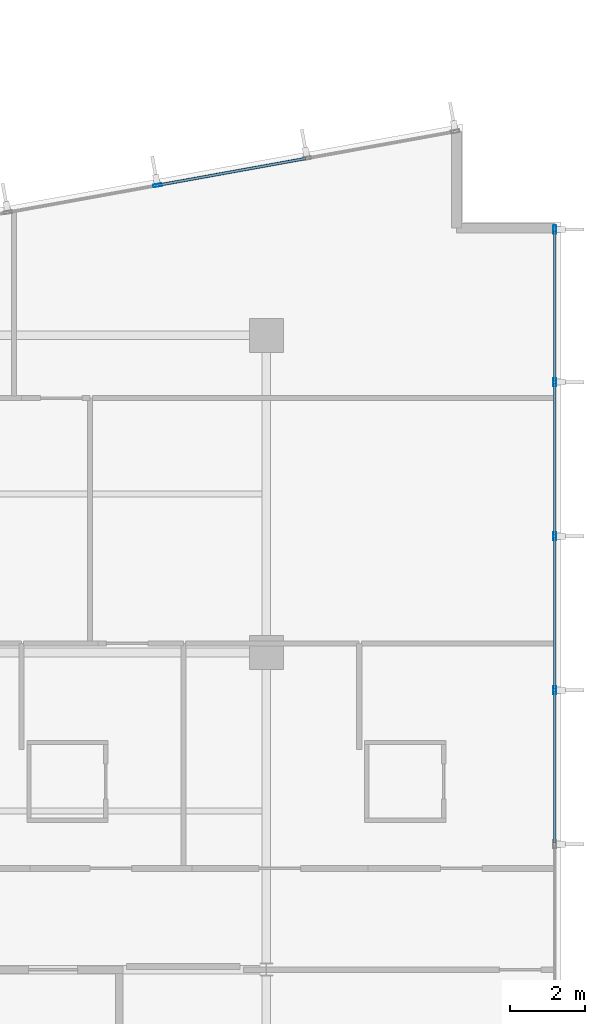
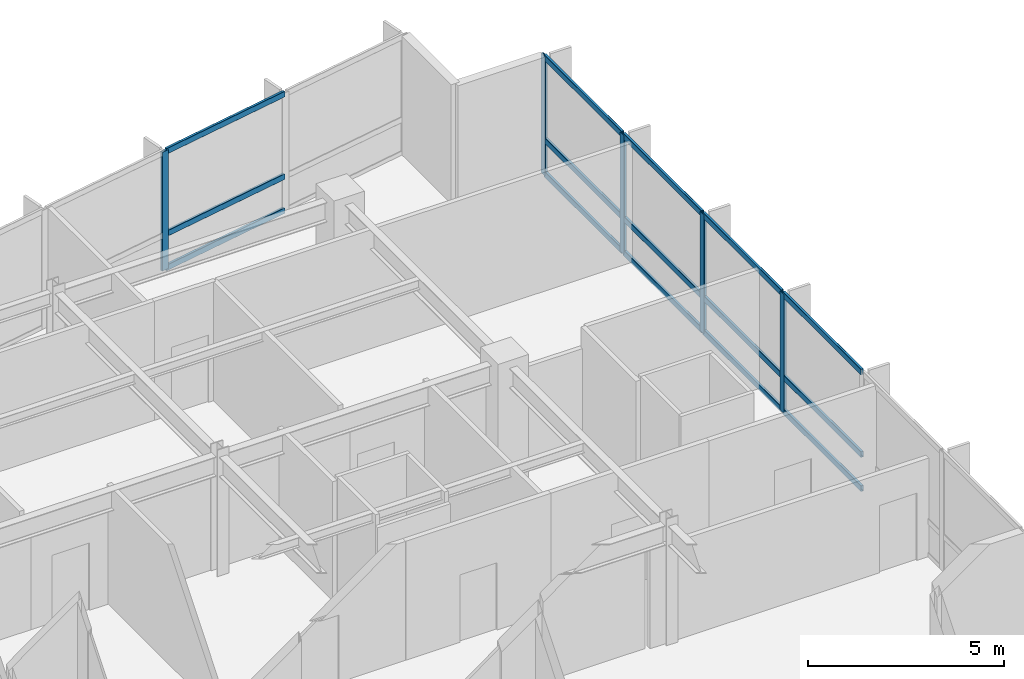
# One storey, part 8 of 20: 20 members, 2 elements without a shape of their own.
"""IFC4 building model written with IfcOpenShell, lengths in metres."""

from ifc_helpers import new_model, si_unit, direction, frame, origin, origin_2d, place, context, subcontext, project, spatial, hollow_rectangle, extrude, material, layer, layer_set, material_profile, profile_set, type_object, element, aggregate, save


model = new_model("IFC4")

# Units and contexts
model_context = context("Model", 3, precision=1e-05, world=origin(), true_north=direction((0.0, 1.0)))
body_context = subcontext(model_context, "Body", "Model", "MODEL_VIEW")
ifc_project = project(units=[si_unit("LENGTHUNIT", "METRE"), si_unit("AREAUNIT", "SQUARE_METRE"), si_unit("VOLUMEUNIT", "CUBIC_METRE"), si_unit("PLANEANGLEUNIT", "RADIAN"), si_unit("MASSUNIT", "GRAM", prefix="KILO")], contexts=[model_context])

# Site, building, storey
site_placement = place(None, origin())
site = spatial("IfcSite", under=ifc_project, at=site_placement, CompositionType="ELEMENT")
building_placement = place(site_placement, origin())
building = spatial("IfcBuilding", under=site, at=building_placement, Name="Varnakote Quay Hospital", CompositionType="ELEMENT")
storey_placement = place(building_placement, frame((0.0, 0.0, 26.449951171875)))
storey = spatial("IfcBuildingStorey", under=building, at=storey_placement, Name="L06", CompositionType="ELEMENT", Elevation=26.449951171875)

# Curtain wall, members
ifc_material_1 = material(Name="Anodised aluminium 6063-T6 Bronze", Category="aluminium")
ifc_layer = layer(ifc_material_1, 0.18994140625)
ifc_layer_set = layer_set([ifc_layer], Name="Anodised aluminium 6063-T6 Bronze")
curtain_wall_type = type_object("IfcCurtainWallType", Name="CW-SYS-2", PredefinedType="NOTDEFINED", material=ifc_layer_set)
curtain_wall_1_placement = place(storey_placement, origin())
curtain_wall_1 = element("IfcCurtainWall", 1, at=curtain_wall_1_placement, inside=storey, type_object=curtain_wall_type, Name="L06 Unitised Bronze Curtain Wall 1", PredefinedType="NOTDEFINED")
ifc_material_2 = material(Name="Anodised aluminium 6063-T6 Bronze", Category="aluminium")
ifc_material_profile_1 = material_profile(ifc_material_2, hollow_rectangle(XDim=0.074951171875, YDim=0.219970703125, WallThickness=0.00439453125, InnerFilletRadius=0.00439453125, OuterFilletRadius=0.009033203125, at=origin_2d()), Name="CW-MULL-220x75")
ifc_profile_set_1 = profile_set([ifc_material_profile_1], Name="Anodised aluminium 6063-T6 Bronze")
member_type_1 = type_object("IfcMemberType", Name="CW-MULL-220x75", PredefinedType="MULLION", material=ifc_profile_set_1)
member_1_placement = place(storey_placement, frame((58.0400390625, 19.39990234375, 0.0), z_axis=(0.0, 0.0, 1.0), x_axis=(-1.0, 0.0, 0.0)))
member_1 = element("IfcMember", 2, at=member_1_placement, type_object=member_type_1, Name="-2-L06-1 mullion 4", PredefinedType="MULLION", context=body_context, shape_type="SweptSolid", body=[
    extrude(hollow_rectangle(XDim=0.074951171875, YDim=0.219970703125, WallThickness=0.00439453125, InnerFilletRadius=0.00439453125, OuterFilletRadius=0.009033203125, at=origin_2d()), origin(), (0.0, 0.0, 1.0), 3.7099609375),
])
member_2_placement = place(storey_placement, frame((58.0400390625, 23.47998046875, 0.0), z_axis=(0.0, 0.0, 1.0), x_axis=(-1.0, 0.0, 0.0)))
member_2 = element("IfcMember", 3, at=member_2_placement, type_object=member_type_1, Name="-2-L06-1 mullion 5", PredefinedType="MULLION", context=body_context, shape_type="SweptSolid", body=[
    extrude(hollow_rectangle(XDim=0.074951171875, YDim=0.219970703125, WallThickness=0.00439453125, InnerFilletRadius=0.00439453125, OuterFilletRadius=0.009033203125, at=origin_2d()), origin(), (0.0, 0.0, 1.0), 3.7099609375),
])
member_3_placement = place(storey_placement, frame((58.0400390625, 27.56005859375, 0.0), z_axis=(0.0, 0.0, 1.0), x_axis=(-1.0, 0.0, 0.0)))
member_3 = element("IfcMember", 4, at=member_3_placement, type_object=member_type_1, Name="-2-L06-1 mullion 6", PredefinedType="MULLION", context=body_context, shape_type="SweptSolid", body=[
    extrude(hollow_rectangle(XDim=0.074951171875, YDim=0.219970703125, WallThickness=0.00439453125, InnerFilletRadius=0.00439453125, OuterFilletRadius=0.009033203125, at=origin_2d()), origin(), (0.0, 0.0, 1.0), 3.7099609375),
])
member_4_placement = place(storey_placement, frame((58.0400390625, 31.6025390625, 0.0), z_axis=(0.0, 0.0, 1.0), x_axis=(-1.0, 0.0, 0.0)))
member_4 = element("IfcMember", 5, at=member_4_placement, type_object=member_type_1, Name="-2-L06-1 mullion 7", PredefinedType="MULLION", context=body_context, shape_type="SweptSolid", body=[
    extrude(hollow_rectangle(XDim=0.074951171875, YDim=0.219970703125, WallThickness=0.00439453125, InnerFilletRadius=0.00439453125, OuterFilletRadius=0.009033203125, at=origin_2d()), origin(), (0.0, 0.0, 1.0), 3.7099609375),
])

# Curtain wall, member
curtain_wall_2_placement = place(storey_placement, origin())
curtain_wall_2 = element("IfcCurtainWall", 6, at=curtain_wall_2_placement, inside=storey, type_object=curtain_wall_type, Name="L06 Unitised Bronze Curtain Wall 2", PredefinedType="NOTDEFINED")
member_5_placement = place(storey_placement, frame((47.514892578125, 32.776123046875, 0.0), z_axis=(0.0, 0.0, 1.0), x_axis=(0.177846199098, -0.984058295766, 0.0)))
member_5 = element("IfcMember", 7, at=member_5_placement, type_object=member_type_1, Name="-2-L06-2 mullion 3", PredefinedType="MULLION", context=body_context, shape_type="SweptSolid", body=[
    extrude(hollow_rectangle(XDim=0.074951171875, YDim=0.219970703125, WallThickness=0.00439453125, InnerFilletRadius=0.00439453125, OuterFilletRadius=0.009033203125, at=origin_2d()), origin(), (0.0, 0.0, 1.0), 3.7099609375),
])

# Member
ifc_material_3 = material(Name="Anodised aluminium 6063-T6 Bronze", Category="aluminium")
ifc_material_profile_2 = material_profile(ifc_material_3, hollow_rectangle(XDim=0.074951171875, YDim=0.179931640625, WallThickness=0.004150390625, InnerFilletRadius=0.004150390625, OuterFilletRadius=0.00830078125, at=origin_2d()), Name="CW-TRAN-180x75")
ifc_profile_set_2 = profile_set([ifc_material_profile_2], Name="Anodised aluminium 6063-T6 Bronze")
member_type_2 = type_object("IfcMemberType", Name="CW-TRAN-180x75", PredefinedType="USERDEFINED", material=ifc_profile_set_2)
member_6_placement = place(storey_placement, frame((58.0400390625, 15.357421875, 0.03759765625), z_axis=(0.0, 1.0, 0.0), x_axis=(-1.0, 0.0, 0.0)))
member_6 = element("IfcMember", 8, at=member_6_placement, type_object=member_type_2, Name="-2-L06-1 transom 3.1", ObjectType="TRANSOM", PredefinedType="USERDEFINED", context=body_context, shape_type="SweptSolid", body=[
    extrude(hollow_rectangle(XDim=0.074951171875, YDim=0.179931640625, WallThickness=0.004150390625, InnerFilletRadius=0.004150390625, OuterFilletRadius=0.00830078125, at=origin_2d()), origin(), (0.0, 0.0, 1.0), 4.005126953125),
])

member_7_placement = place(storey_placement, frame((58.0400390625, 15.357421875, 1.10009765625), z_axis=(0.0, 1.0, 0.0), x_axis=(-1.0, 0.0, 0.0)))
member_7 = element("IfcMember", 9, at=member_7_placement, type_object=member_type_2, Name="-2-L06-1 transom 3.2", ObjectType="TRANSOM", PredefinedType="USERDEFINED", context=body_context, shape_type="SweptSolid", body=[
    extrude(hollow_rectangle(XDim=0.074951171875, YDim=0.179931640625, WallThickness=0.004150390625, InnerFilletRadius=0.004150390625, OuterFilletRadius=0.00830078125, at=origin_2d()), origin(), (0.0, 0.0, 1.0), 4.005126953125),
])

member_8_placement = place(storey_placement, frame((58.0400390625, 15.357421875, 3.672607421875), z_axis=(0.0, 1.0, 0.0), x_axis=(-1.0, 0.0, 0.0)))
member_8 = element("IfcMember", 10, at=member_8_placement, type_object=member_type_2, Name="-2-L06-1 transom 3.3", ObjectType="TRANSOM", PredefinedType="USERDEFINED", context=body_context, shape_type="SweptSolid", body=[
    extrude(hollow_rectangle(XDim=0.074951171875, YDim=0.179931640625, WallThickness=0.004150390625, InnerFilletRadius=0.004150390625, OuterFilletRadius=0.00830078125, at=origin_2d()), origin(), (0.0, 0.0, 1.0), 4.005126953125),
])

member_9_placement = place(storey_placement, frame((58.0400390625, 19.4375, 0.03759765625), z_axis=(0.0, 1.0, 0.0), x_axis=(-1.0, 0.0, 0.0)))
member_9 = element("IfcMember", 11, at=member_9_placement, type_object=member_type_2, Name="-2-L06-1 transom 4.1", ObjectType="TRANSOM", PredefinedType="USERDEFINED", context=body_context, shape_type="SweptSolid", body=[
    extrude(hollow_rectangle(XDim=0.074951171875, YDim=0.179931640625, WallThickness=0.004150390625, InnerFilletRadius=0.004150390625, OuterFilletRadius=0.00830078125, at=origin_2d()), origin(), (0.0, 0.0, 1.0), 4.0048828125),
])

member_10_placement = place(storey_placement, frame((58.0400390625, 19.4375, 1.10009765625), z_axis=(0.0, 1.0, 0.0), x_axis=(-1.0, 0.0, 0.0)))
member_10 = element("IfcMember", 12, at=member_10_placement, type_object=member_type_2, Name="-2-L06-1 transom 4.2", ObjectType="TRANSOM", PredefinedType="USERDEFINED", context=body_context, shape_type="SweptSolid", body=[
    extrude(hollow_rectangle(XDim=0.074951171875, YDim=0.179931640625, WallThickness=0.004150390625, InnerFilletRadius=0.004150390625, OuterFilletRadius=0.00830078125, at=origin_2d()), origin(), (0.0, 0.0, 1.0), 4.0048828125),
])

member_11_placement = place(storey_placement, frame((58.0400390625, 19.4375, 3.672607421875), z_axis=(0.0, 1.0, 0.0), x_axis=(-1.0, 0.0, 0.0)))
member_11 = element("IfcMember", 13, at=member_11_placement, type_object=member_type_2, Name="-2-L06-1 transom 4.3", ObjectType="TRANSOM", PredefinedType="USERDEFINED", context=body_context, shape_type="SweptSolid", body=[
    extrude(hollow_rectangle(XDim=0.074951171875, YDim=0.179931640625, WallThickness=0.004150390625, InnerFilletRadius=0.004150390625, OuterFilletRadius=0.00830078125, at=origin_2d()), origin(), (0.0, 0.0, 1.0), 4.0048828125),
])

member_12_placement = place(storey_placement, frame((58.0400390625, 23.517578125, 0.03759765625), z_axis=(0.0, 1.0, 0.0), x_axis=(-1.0, 0.0, 0.0)))
member_12 = element("IfcMember", 14, at=member_12_placement, type_object=member_type_2, Name="-2-L06-1 transom 5.1", ObjectType="TRANSOM", PredefinedType="USERDEFINED", context=body_context, shape_type="SweptSolid", body=[
    extrude(hollow_rectangle(XDim=0.074951171875, YDim=0.179931640625, WallThickness=0.004150390625, InnerFilletRadius=0.004150390625, OuterFilletRadius=0.00830078125, at=origin_2d()), origin(), (0.0, 0.0, 1.0), 4.0048828125),
])

member_13_placement = place(storey_placement, frame((58.0400390625, 23.517578125, 1.10009765625), z_axis=(0.0, 1.0, 0.0), x_axis=(-1.0, 0.0, 0.0)))
member_13 = element("IfcMember", 15, at=member_13_placement, type_object=member_type_2, Name="-2-L06-1 transom 5.2", ObjectType="TRANSOM", PredefinedType="USERDEFINED", context=body_context, shape_type="SweptSolid", body=[
    extrude(hollow_rectangle(XDim=0.074951171875, YDim=0.179931640625, WallThickness=0.004150390625, InnerFilletRadius=0.004150390625, OuterFilletRadius=0.00830078125, at=origin_2d()), origin(), (0.0, 0.0, 1.0), 4.0048828125),
])

member_14_placement = place(storey_placement, frame((58.0400390625, 23.517578125, 3.672607421875), z_axis=(0.0, 1.0, 0.0), x_axis=(-1.0, 0.0, 0.0)))
member_14 = element("IfcMember", 16, at=member_14_placement, type_object=member_type_2, Name="-2-L06-1 transom 5.3", ObjectType="TRANSOM", PredefinedType="USERDEFINED", context=body_context, shape_type="SweptSolid", body=[
    extrude(hollow_rectangle(XDim=0.074951171875, YDim=0.179931640625, WallThickness=0.004150390625, InnerFilletRadius=0.004150390625, OuterFilletRadius=0.00830078125, at=origin_2d()), origin(), (0.0, 0.0, 1.0), 4.0048828125),
])

member_15_placement = place(storey_placement, frame((58.0400390625, 27.597412109375, 0.03759765625), z_axis=(0.0, 1.0, 0.0), x_axis=(-1.0, 0.0, 0.0)))
member_15 = element("IfcMember", 17, at=member_15_placement, type_object=member_type_2, Name="-2-L06-1 transom 6.1", ObjectType="TRANSOM", PredefinedType="USERDEFINED", context=body_context, shape_type="SweptSolid", body=[
    extrude(hollow_rectangle(XDim=0.074951171875, YDim=0.179931640625, WallThickness=0.004150390625, InnerFilletRadius=0.004150390625, OuterFilletRadius=0.00830078125, at=origin_2d()), origin(), (0.0, 0.0, 1.0), 3.967529296875),
])

member_16_placement = place(storey_placement, frame((58.0400390625, 27.597412109375, 1.10009765625), z_axis=(0.0, 1.0, 0.0), x_axis=(-1.0, 0.0, 0.0)))
member_16 = element("IfcMember", 18, at=member_16_placement, type_object=member_type_2, Name="-2-L06-1 transom 6.2", ObjectType="TRANSOM", PredefinedType="USERDEFINED", context=body_context, shape_type="SweptSolid", body=[
    extrude(hollow_rectangle(XDim=0.074951171875, YDim=0.179931640625, WallThickness=0.004150390625, InnerFilletRadius=0.004150390625, OuterFilletRadius=0.00830078125, at=origin_2d()), origin(), (0.0, 0.0, 1.0), 3.967529296875),
])

member_17_placement = place(storey_placement, frame((58.0400390625, 27.597412109375, 3.672607421875), z_axis=(0.0, 1.0, 0.0), x_axis=(-1.0, 0.0, 0.0)))
member_17 = element("IfcMember", 19, at=member_17_placement, type_object=member_type_2, Name="-2-L06-1 transom 6.3", ObjectType="TRANSOM", PredefinedType="USERDEFINED", context=body_context, shape_type="SweptSolid", body=[
    extrude(hollow_rectangle(XDim=0.074951171875, YDim=0.179931640625, WallThickness=0.004150390625, InnerFilletRadius=0.004150390625, OuterFilletRadius=0.00830078125, at=origin_2d()), origin(), (0.0, 0.0, 1.0), 3.967529296875),
])

aggregate(curtain_wall_1, [member_1, member_2, member_3, member_4, member_6, member_7, member_8, member_9, member_10, member_11, member_12, member_13, member_14, member_15, member_16, member_17])

member_18_placement = place(storey_placement, frame((51.4404296875, 33.485595703125, 0.03759765625), z_axis=(-0.984065046829, -0.177808840079, 0.0), x_axis=(0.177808840079, -0.984065046829, 0.0)))
member_18 = element("IfcMember", 20, at=member_18_placement, type_object=member_type_2, Name="-2-L06-2 transom 2.1", ObjectType="TRANSOM", PredefinedType="USERDEFINED", context=body_context, shape_type="SweptSolid", body=[
    extrude(hollow_rectangle(XDim=0.074951171875, YDim=0.179931640625, WallThickness=0.004150390625, InnerFilletRadius=0.004150390625, OuterFilletRadius=0.00830078125, at=origin_2d()), origin(), (0.0, 0.0, 1.0), 3.95166015625),
])

member_19_placement = place(storey_placement, frame((51.4404296875, 33.485595703125, 1.10009765625), z_axis=(-0.984065046829, -0.177808840079, 0.0), x_axis=(0.177808840079, -0.984065046829, 0.0)))
member_19 = element("IfcMember", 21, at=member_19_placement, type_object=member_type_2, Name="-2-L06-2 transom 2.2", ObjectType="TRANSOM", PredefinedType="USERDEFINED", context=body_context, shape_type="SweptSolid", body=[
    extrude(hollow_rectangle(XDim=0.074951171875, YDim=0.179931640625, WallThickness=0.004150390625, InnerFilletRadius=0.004150390625, OuterFilletRadius=0.00830078125, at=origin_2d()), origin(), (0.0, 0.0, 1.0), 3.95166015625),
])

member_20_placement = place(storey_placement, frame((51.4404296875, 33.485595703125, 3.672607421875), z_axis=(-0.984065046829, -0.177808840079, 0.0), x_axis=(0.177808840079, -0.984065046829, 0.0)))
member_20 = element("IfcMember", 22, at=member_20_placement, type_object=member_type_2, Name="-2-L06-2 transom 2.3", ObjectType="TRANSOM", PredefinedType="USERDEFINED", context=body_context, shape_type="SweptSolid", body=[
    extrude(hollow_rectangle(XDim=0.074951171875, YDim=0.179931640625, WallThickness=0.004150390625, InnerFilletRadius=0.004150390625, OuterFilletRadius=0.00830078125, at=origin_2d()), origin(), (0.0, 0.0, 1.0), 3.95166015625),
])

aggregate(curtain_wall_2, [member_5, member_18, member_19, member_20])

save(model, "model.ifc")
